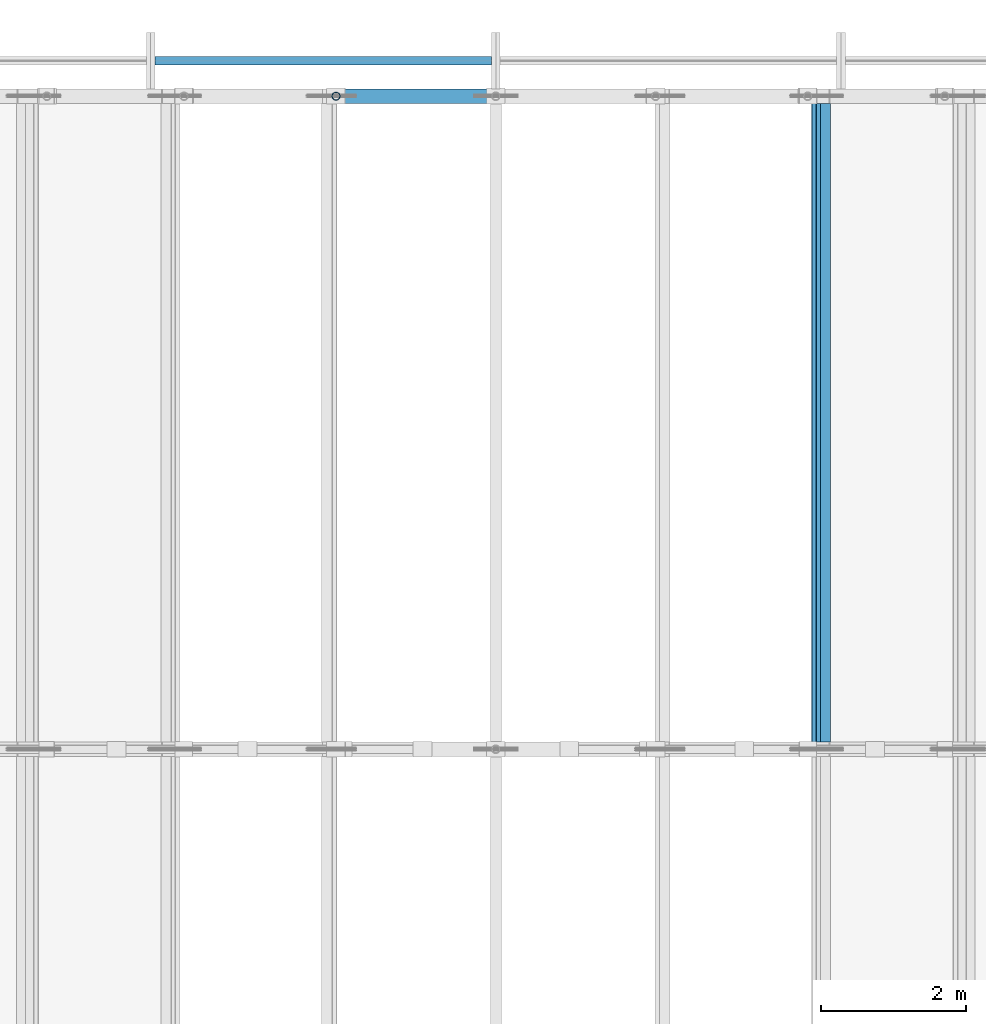
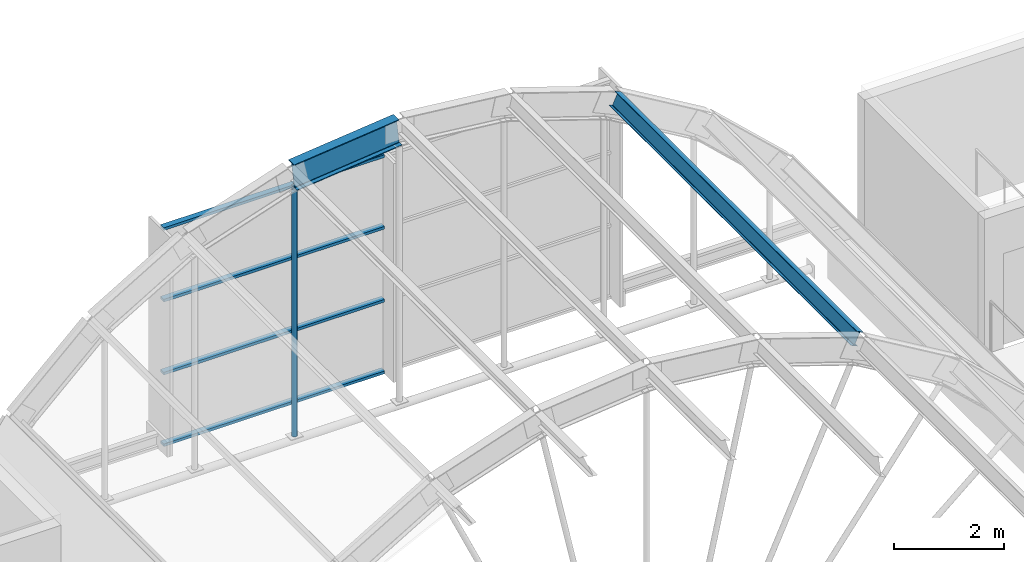
# One storey, part 28 of 79: 6 members, 1 beam, 1 element without a shape of its own.
"""IFC4 building model written with IfcOpenShell, lengths in metres."""

from ifc_helpers import new_model, si_unit, direction, frame, origin, origin_2d, place, context, subcontext, project, spatial, rectangle, hollow_circle, i_section, extrude, material, layer, layer_set, material_profile, profile_set, type_object, element, aggregate, save


model = new_model("IFC4")

# Units and contexts
model_context = context("Model", 3, precision=1e-05, world=origin(), true_north=direction((0.0, 1.0)))
body_context = subcontext(model_context, "Body", "Model", "MODEL_VIEW")
ifc_project = project(units=[si_unit("LENGTHUNIT", "METRE"), si_unit("AREAUNIT", "SQUARE_METRE"), si_unit("VOLUMEUNIT", "CUBIC_METRE"), si_unit("PLANEANGLEUNIT", "RADIAN"), si_unit("MASSUNIT", "GRAM", prefix="KILO")], contexts=[model_context])

# Site, building, storey
site_placement = place(None, origin())
site = spatial("IfcSite", under=ifc_project, at=site_placement, CompositionType="ELEMENT")
building_placement = place(site_placement, origin())
building = spatial("IfcBuilding", under=site, at=building_placement, Name="Guidao Yard Department Store", CompositionType="ELEMENT")
storey_placement = place(building_placement, frame((0.0, 0.0, 15.0)))
storey = spatial("IfcBuildingStorey", under=building, at=storey_placement, Name="L03", CompositionType="ELEMENT", Elevation=15.0)

# Members
ifc_material_1 = material(Name="Steel Q355B", Category="steel")
ifc_material_profile_1 = material_profile(ifc_material_1, hollow_circle(Radius=0.056884765625, WallThickness=0.006103515625, at=origin_2d()), Name="CHS 114x6")
ifc_profile_set_1 = profile_set([ifc_material_profile_1], Name="Steel Q355B")
member_type_1 = type_object("IfcMemberType", Name="CHS 114x6", PredefinedType="BRACE", material=ifc_profile_set_1)
member_1_placement = place(storey_placement, frame((87.798095703125, 108.0, -0.360107421875), z_axis=(0.0, 0.0, 1.0), x_axis=(1.0, 0.0, 0.0)))
element("IfcMember", 1, at=member_1_placement, inside=storey, type_object=member_type_1, Name="Roof web strut C08-04", PredefinedType="BRACE", context=body_context, shape_type="SweptSolid", body=[
    extrude(hollow_circle(Radius=0.056884765625, WallThickness=0.006103515625, at=origin_2d()), origin(), (0.0, 0.0, 1.0), 5.491455078125),
])
ifc_material_2 = material(Name="Steel Q355B", Category="steel")
ifc_material_profile_2 = material_profile(ifc_material_2, i_section(OverallWidth=0.14990234375, OverallDepth=0.300048828125, WebThickness=0.006591796875, FlangeThickness=0.009033203125, FilletRadius=0.012939453125, at=origin_2d()), Name="HN 300x150x6.5x9")
ifc_profile_set_2 = profile_set([ifc_material_profile_2], Name="Steel Q355B")
member_type_2 = type_object("IfcMemberType", Name="HN 300x150x6.5x9", PredefinedType="PURLIN", material=ifc_profile_set_2)
member_2_placement = place(storey_placement, frame((94.482421875, 99.10009765625, 4.841064453125), z_axis=(0.0, 1.0, 0.0), x_axis=(-0.909750741633, 0.0, 0.415154896513)))
element("IfcMember", 2, at=member_2_placement, inside=storey, type_object=member_type_2, Name="Roof purlin C07-07", PredefinedType="PURLIN", context=body_context, shape_type="SweptSolid", body=[
    extrude(i_section(OverallWidth=0.14990234375, OverallDepth=0.300048828125, WebThickness=0.006591796875, FlangeThickness=0.009033203125, FilletRadius=0.012939453125, at=origin_2d()), origin(), (0.0, 0.0, 1.0), 8.7998046875),
])

# Beam
ifc_material_3 = material(Name="Steel Q355B", Category="steel")
ifc_material_profile_3 = material_profile(ifc_material_3, i_section(OverallWidth=0.199951171875, OverallDepth=0.60009765625, WebThickness=0.010986328125, FlangeThickness=0.01708984375, FilletRadius=0.012939453125, at=origin_2d()), Name="HN 600x200x11x17")
ifc_profile_set_3 = profile_set([ifc_material_profile_3], Name="Steel Q355B")
beam_type = type_object("IfcBeamType", Name="HN 600x200x11x17", PredefinedType="BEAM", material=ifc_profile_set_3)
beam_placement = place(storey_placement, frame((87.766357421875, 108.0, 5.429443359375), z_axis=(0.994311656362, 0.0, 0.10650976492), x_axis=(0.0, 1.0, 0.0)))
element("IfcBeam", 3, at=beam_placement, inside=storey, type_object=beam_type, Name="Roof rib C08-05", PredefinedType="BEAM", context=body_context, shape_type="SweptSolid", body=[
    extrude(i_section(OverallWidth=0.199951171875, OverallDepth=0.60009765625, WebThickness=0.010986328125, FlangeThickness=0.01708984375, FilletRadius=0.012939453125, at=origin_2d()), origin(), (0.0, 0.0, 1.0), 2.21435546875),
])

# Curtain wall, members
ifc_material_4 = material(Name="Aluminium and glass", Category="aluminium")
ifc_layer = layer(ifc_material_4, 0.159912109375)
ifc_layer_set = layer_set([ifc_layer], Name="Gable glazing CW7 1500 module")
curtain_wall_type = type_object("IfcCurtainWallType", Name="Gable glazing CW7 1500 module", PredefinedType="NOTDEFINED", material=ifc_layer_set)
curtain_wall_placement = place(storey_placement, origin())
curtain_wall = element("IfcCurtainWall", 4, at=curtain_wall_placement, inside=storey, type_object=curtain_wall_type, Name="Gable glazing CN2", PredefinedType="NOTDEFINED")
ifc_material_5 = material(Name="Aluminium 6063-T5", Category="aluminium")
ifc_material_profile_4 = material_profile(ifc_material_5, rectangle(XDim=0.1201171875, YDim=0.06005859375, at=origin_2d()), Name="Transom T1 60 x 120 aluminium pressure plate")
ifc_profile_set_4 = profile_set([ifc_material_profile_4], Name="Aluminium 6063-T5")
member_type_3 = type_object("IfcMemberType", Name="Transom T1 60 x 120 aluminium pressure plate", PredefinedType="USERDEFINED", material=ifc_profile_set_4)
member_3_placement = place(storey_placement, frame((85.304443359375, 108.489990234375, 0.030029296875), z_axis=(1.0, 0.0, 0.0), x_axis=(0.0, 1.0, 0.0)))
member_3 = element("IfcMember", 5, at=member_3_placement, type_object=member_type_3, Name="CW-TCN2 transom 1.1", ObjectType="TRANSOM", PredefinedType="USERDEFINED", context=body_context, shape_type="SweptSolid", body=[
    extrude(rectangle(XDim=0.1201171875, YDim=0.06005859375, at=origin_2d()), origin(), (0.0, 0.0, 1.0), 4.635498046875),
])
member_4_placement = place(storey_placement, frame((85.304443359375, 108.489990234375, 1.62060546875), z_axis=(1.0, 0.0, 0.0), x_axis=(0.0, 1.0, 0.0)))
member_4 = element("IfcMember", 6, at=member_4_placement, type_object=member_type_3, Name="CW-TCN2 transom 1.2", ObjectType="TRANSOM", PredefinedType="USERDEFINED", context=body_context, shape_type="SweptSolid", body=[
    extrude(rectangle(XDim=0.1201171875, YDim=0.06005859375, at=origin_2d()), origin(), (0.0, 0.0, 1.0), 4.635498046875),
])
member_5_placement = place(storey_placement, frame((85.304443359375, 108.489990234375, 3.240966796875), z_axis=(1.0, 0.0, 0.0), x_axis=(0.0, 1.0, 0.0)))
member_5 = element("IfcMember", 7, at=member_5_placement, type_object=member_type_3, Name="CW-TCN2 transom 1.3", ObjectType="TRANSOM", PredefinedType="USERDEFINED", context=body_context, shape_type="SweptSolid", body=[
    extrude(rectangle(XDim=0.1201171875, YDim=0.06005859375, at=origin_2d()), origin(), (0.0, 0.0, 1.0), 4.635498046875),
])
member_6_placement = place(storey_placement, frame((85.304443359375, 108.489990234375, 4.83154296875), z_axis=(1.0, 0.0, 0.0), x_axis=(0.0, 1.0, 0.0)))
member_6 = element("IfcMember", 8, at=member_6_placement, type_object=member_type_3, Name="CW-TCN2 transom 1.4", ObjectType="TRANSOM", PredefinedType="USERDEFINED", context=body_context, shape_type="SweptSolid", body=[
    extrude(rectangle(XDim=0.1201171875, YDim=0.06005859375, at=origin_2d()), origin(), (0.0, 0.0, 1.0), 4.635498046875),
])
aggregate(curtain_wall, [member_3, member_4, member_5, member_6])

save(model, "model.ifc")
